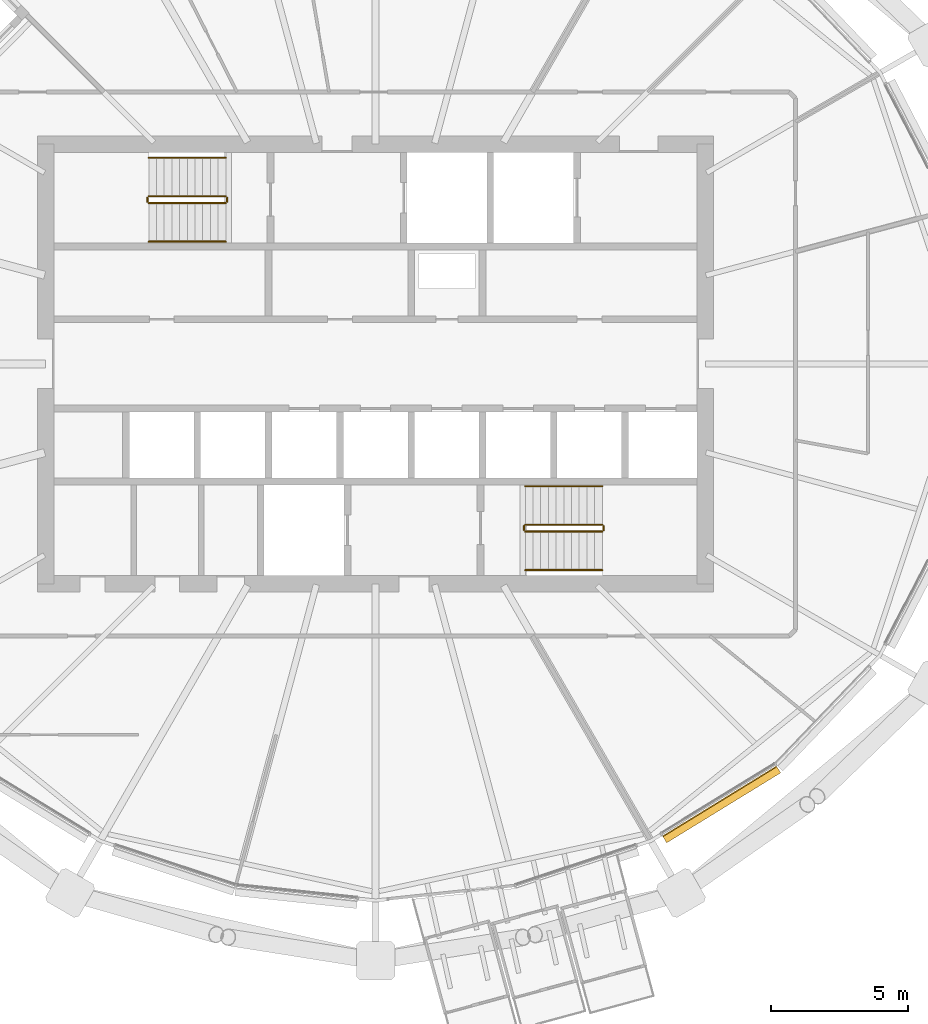
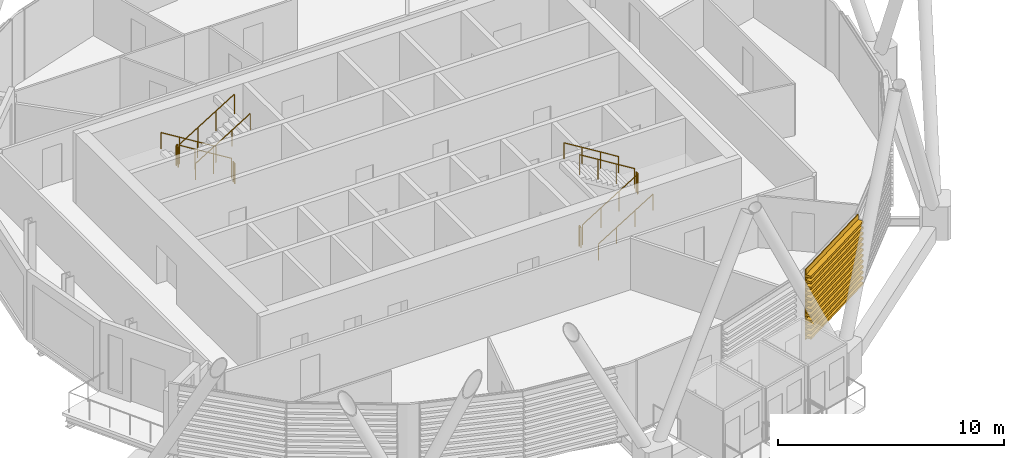
# One storey, part 31 of 35: 12 railings, 1 covering.
"""IFC4 building model written with IfcOpenShell, lengths in metres."""

import ifcopenshell
import ifcopenshell.guid

model = None  # the IFC model being written
_history = None  # IfcOwnerHistory: only IFC2X3 demands one
_inside = {}  # id of a spatial element -> (the spatial element, [elements in it])
_under = {}  # id of a project, library or spatial element -> (it, [spatial elements below it])
_declared = {}  # id of a project -> (the project, [libraries it declares])
_typed = {}  # id of a type object -> (the type object, [elements of that type])
_made_of = {}  # id of a material, layer set ... -> (it, [elements and type objects made of it])


def new_model(schema):
    """Start an empty IFC model of exactly this schema.

    Asked for "IFC4X3", IfcOpenShell would pick the latest addendum, in which some entities
    have other attributes; the version numbers below select the first issue.
    IFC2X3 requires an IfcOwnerHistory on every rooted entity: one is made here for all.
    """
    global model, _history
    if schema == "IFC4X3":
        model = ifcopenshell.file(schema_version=(4, 3, 0, 0))
    else:
        model = ifcopenshell.file(schema=schema)
    _inside.clear()
    _under.clear()
    _declared.clear()
    _typed.clear()
    _made_of.clear()
    _history = None
    if model.schema == "IFC2X3":
        org = make("IfcOrganization", Name="unknown")
        user = make(
            "IfcPersonAndOrganization",
            ThePerson=make("IfcPerson", FamilyName="unknown"),
            TheOrganization=org,
        )
        app = make(
            "IfcApplication",
            ApplicationDeveloper=org,
            Version="unknown",
            ApplicationFullName="unknown",
            ApplicationIdentifier="unknown",
        )
        _history = make(
            "IfcOwnerHistory",
            OwningUser=user,
            OwningApplication=app,
            ChangeAction="ADDED",
            CreationDate=0,
        )
    return model


def make(cls, **values):
    """One entity of the class cls with the attributes given. An attribute that is None is left unset."""
    return model.create_entity(
        cls, **{name: value for name, value in values.items() if value is not None}
    )


def rooted(cls, **values):
    """An entity with a GlobalId (a new one), such as an element, a storey or a relation."""
    return make(cls, GlobalId=ifcopenshell.guid.new(), OwnerHistory=_history, **values)


def si_unit(unit_type, name, prefix=None):
    """IfcSIUnit, for example si_unit("LENGTHUNIT", "METRE", prefix="MILLI")."""
    return make("IfcSIUnit", UnitType=unit_type, Prefix=prefix, Name=name)


def assignment(units):
    """IfcUnitAssignment: the units of a project."""
    return None if units is None else make("IfcUnitAssignment", Units=units)


def point(xyz):
    """IfcCartesianPoint."""
    return None if xyz is None else make("IfcCartesianPoint", Coordinates=xyz)


def direction(xyz):
    """IfcDirection."""
    return None if xyz is None else make("IfcDirection", DirectionRatios=xyz)


def frame(location, z_axis=None, x_axis=None):
    """IfcAxis2Placement3D, a coordinate frame: its origin and axes. An axis left out is left unset."""
    return make(
        "IfcAxis2Placement3D",
        Location=point(location),
        Axis=direction(z_axis),
        RefDirection=direction(x_axis),
    )


def frame_2d(location, x_axis=None):
    """IfcAxis2Placement2D, a coordinate frame in the plane: its origin and x axis."""
    return make(
        "IfcAxis2Placement2D", Location=point(location), RefDirection=direction(x_axis)
    )


def origin():
    """The frame at (0, 0, 0) with its axes left unset."""
    return frame((0.0, 0.0, 0.0))


def origin_2d():
    """The frame at (0, 0) in the plane with its x axis left unset."""
    return frame_2d((0.0, 0.0))


def place(relative_to, where):
    """IfcLocalPlacement: puts the frame where relative to a parent placement (None: the world)."""
    return make(
        "IfcLocalPlacement", PlacementRelTo=relative_to, RelativePlacement=where
    )


def context(
    kind, dimensions, precision=None, world=None, true_north=None, identifier=None
):
    """IfcGeometricRepresentationContext, for example the 3D "Model" context."""
    return make(
        "IfcGeometricRepresentationContext",
        ContextIdentifier=identifier,
        ContextType=kind,
        CoordinateSpaceDimension=dimensions,
        Precision=precision,
        WorldCoordinateSystem=world,
        TrueNorth=true_north,
    )


def subcontext(parent, identifier, kind, view, scale=None):
    """IfcGeometricRepresentationSubContext, for example "Body" below "Model"."""
    return make(
        "IfcGeometricRepresentationSubContext",
        ContextIdentifier=identifier,
        ContextType=kind,
        ParentContext=parent,
        TargetScale=scale,
        TargetView=view,
    )


def project(units=None, contexts=None):
    """IfcProject with its units and contexts."""
    return rooted(
        "IfcProject",
        Name="project",
        RepresentationContexts=contexts,
        UnitsInContext=assignment(units),
    )


def spatial(cls, under=None, at=None, **own):
    """A site, building, storey or space (cls), placed at a placement, below another one or the project."""
    s = rooted(cls, ObjectPlacement=at, **own)
    if under is not None:
        _under.setdefault(under.id(), (under, []))[1].append(s)
    return s


def polyline(points):
    """IfcPolyline through the points."""
    return make("IfcPolyline", Points=[point(p) for p in points])


def profile(cls, at=None, kind="AREA", **sizes):
    """A parametric profile (cls). Its sizes go by their IFC names, for example OverallWidth=200.0."""
    return make(cls, ProfileType=kind, Position=at, **sizes)


def circle(**sizes):
    """IfcCircleProfileDef."""
    return profile("IfcCircleProfileDef", **sizes)


def outline(outer, holes=None, kind="AREA"):
    """IfcArbitraryClosedProfileDef: a profile drawn as a closed curve; with holes, ...WithVoids."""
    if holes is None:
        return make("IfcArbitraryClosedProfileDef", ProfileType=kind, OuterCurve=outer)
    return make(
        "IfcArbitraryProfileDefWithVoids",
        ProfileType=kind,
        OuterCurve=outer,
        InnerCurves=holes,
    )


def extrude(swept, where, along, depth):
    """IfcExtrudedAreaSolid: the profile swept, set in the frame where, extruded along a direction by depth."""
    return make(
        "IfcExtrudedAreaSolid",
        SweptArea=swept,
        Position=where,
        ExtrudedDirection=direction(along),
        Depth=depth,
    )


def shape(context_of_items, identifier, shape_type, items):
    """IfcShapeRepresentation: the items that make up one representation, for example the "Body"."""
    return make(
        "IfcShapeRepresentation",
        ContextOfItems=context_of_items,
        RepresentationIdentifier=identifier,
        RepresentationType=shape_type,
        Items=items,
    )


def material(Name=None, Category=None):
    """IfcMaterial."""
    return make("IfcMaterial", Name=Name, Category=Category)


def material_profile(
    of_material, cross_section, Name=None, Category=None, Priority=None
):
    """IfcMaterialProfile: a cross section and its material."""
    return make(
        "IfcMaterialProfile",
        Name=Name,
        Material=of_material,
        Profile=cross_section,
        Priority=Priority,
        Category=Category,
    )


def profile_set(profiles, Name=None, composite=None):
    """IfcMaterialProfileSet."""
    return make(
        "IfcMaterialProfileSet",
        Name=Name,
        MaterialProfiles=profiles,
        CompositeProfile=composite,
    )


def made_of(thing, what):
    """Note that an element or type object is made of a material, layer set ...; save() writes the relation."""
    if what is not None:
        _made_of.setdefault(what.id(), (what, []))[1].append(thing)
    return thing


def type_object(cls, material=None, **own):
    """A type object (cls), such as IfcWallType, which elements share."""
    return made_of(rooted(cls, **own), material)


def element(
    cls,
    number,
    at=None,
    inside=None,
    cuts=None,
    type_object=None,
    material=None,
    context=None,
    identifier="Body",
    shape_type=None,
    held_by="IfcProductDefinitionShape",
    body=None,
    shapes=None,
    **own,
):
    """One element of the class cls, such as IfcWall. Its Tag is "e" and its number.

    at: its placement. inside: the storey or other place that contains it. cuts: it is an
    opening in that element (IfcRelVoidsElement). A single representation is given by context,
    identifier, shape_type and body (its items); several are given by shapes. held_by: the class
    of the entity that holds the representations. save() writes the other relations.
    """
    e = rooted(cls, Tag="e%d" % number, ObjectPlacement=at, **own)
    if body is not None:
        shapes = [shape(context, identifier, shape_type, body)]
    if shapes is not None:
        e.Representation = make(held_by, Representations=shapes)
    if inside is not None:
        _inside.setdefault(inside.id(), (inside, []))[1].append(e)
    if cuts is not None:
        rooted(
            "IfcRelVoidsElement", RelatingBuildingElement=cuts, RelatedOpeningElement=e
        )
    if type_object is not None:
        _typed.setdefault(type_object.id(), (type_object, []))[1].append(e)
    return made_of(e, material)


def aggregate(whole, parts):
    """IfcRelAggregates: a whole, such as a stair, and the parts it consists of."""
    return rooted("IfcRelAggregates", RelatingObject=whole, RelatedObjects=parts)


def save(model, path):
    """Write the relations noted so far, then the file.

    IfcRelAggregates (storeys below a building ...), IfcRelContainedInSpatialStructure (elements
    in a storey), IfcRelDefinesByType, IfcRelAssociatesMaterial and IfcRelDeclares: one each for
    every whole, place, type object, material and project.
    """
    for whole, parts in _under.values():
        aggregate(whole, parts)
    for where, things in _inside.values():
        rooted(
            "IfcRelContainedInSpatialStructure",
            RelatedElements=things,
            RelatingStructure=where,
        )
    for kind, things in _typed.values():
        rooted("IfcRelDefinesByType", RelatedObjects=things, RelatingType=kind)
    for what, things in _made_of.values():
        rooted("IfcRelAssociatesMaterial", RelatedObjects=things, RelatingMaterial=what)
    for by, libraries in _declared.values():
        rooted("IfcRelDeclares", RelatingContext=by, RelatedDefinitions=libraries)
    model.write(path)


model = new_model("IFC4")

# Units and contexts
model_context = context("Model", 3, precision=1e-05, world=origin(), true_north=direction((0.0, 1.0)))
body_context = subcontext(model_context, "Body", "Model", "MODEL_VIEW")
ifc_project = project(units=[si_unit("LENGTHUNIT", "METRE"), si_unit("AREAUNIT", "SQUARE_METRE"), si_unit("VOLUMEUNIT", "CUBIC_METRE"), si_unit("PLANEANGLEUNIT", "RADIAN"), si_unit("MASSUNIT", "GRAM", prefix="KILO")], contexts=[model_context])

# Site, building, storey
site_placement = place(None, origin())
site = spatial("IfcSite", under=ifc_project, at=site_placement, CompositionType="ELEMENT")
building_placement = place(site_placement, origin())
building = spatial("IfcBuilding", under=site, at=building_placement, Name="Rimbun Link Towers", CompositionType="ELEMENT")
storey_placement = place(building_placement, frame((0.0, 0.0, 181.699951171875)))
storey = spatial("IfcBuildingStorey", under=building, at=storey_placement, Name="L44", CompositionType="ELEMENT", Elevation=181.699951171875)

# Railings
ifc_material_1 = material(Name="Stainless steel grade 316", Category="steel")
railing_type_1 = type_object("IfcRailingType", Name="Stair guard", PredefinedType="GUARDRAIL", material=ifc_material_1)
railing_1_placement = place(storey_placement, frame((-37.199951171875, 6.10009765625, 0.1728515625)))
element("IfcRailing", 1, at=railing_1_placement, inside=storey, type_object=railing_type_1, Name="L44 ST1 stair guard 1", PredefinedType="GUARDRAIL", context=body_context, shape_type="SweptSolid", body=[
    extrude(circle(Radius=0.02392578125, at=origin_2d()), frame((0.0, 0.0, 1.076171875), z_axis=(-0.851089632645, 0.0, 0.525020415988), x_axis=(0.0, -1.0, 0.0)), (0.0, 0.0, 1.0), 3.2900390625),
    extrude(circle(Radius=0.02099609375, at=origin_2d()), origin(), (0.0, 0.0, 1.0), 1.052001953125),
    extrude(circle(Radius=0.02099609375, at=origin_2d()), frame((-0.933349609375, 0.0, 0.57568359375)), (0.0, 0.0, 1.0), 1.052001953125),
    extrude(circle(Radius=0.02099609375, at=origin_2d()), frame((-1.86669921875, 0.0, 1.151611328125)), (0.0, 0.0, 1.0), 1.052001953125),
    extrude(circle(Radius=0.02099609375, at=origin_2d()), frame((-2.800048828125, 0.0, 1.727294921875)), (0.0, 0.0, 1.0), 1.052001953125),
])
railing_2_placement = place(storey_placement, frame((-40.050048828125, 6.050048828125, 1.900146484375)))
element("IfcRailing", 2, at=railing_2_placement, inside=storey, type_object=railing_type_1, Name="L44 ST1 stair guard 2", PredefinedType="GUARDRAIL", context=body_context, shape_type="SweptSolid", body=[
    extrude(circle(Radius=0.02392578125, at=origin_2d()), frame((0.0, 0.0, 1.076171875), z_axis=(0.0, -1.0, 0.0), x_axis=(1.0, 0.0, 0.0)), (0.0, 0.0, 1.0), 0.150146484375),
    extrude(circle(Radius=0.02099609375, at=origin_2d()), origin(), (0.0, 0.0, 1.0), 1.052001953125),
    extrude(circle(Radius=0.02099609375, at=origin_2d()), frame((0.0, -0.150146484375, 0.0)), (0.0, 0.0, 1.0), 1.052001953125),
])
railing_3_placement = place(storey_placement, frame((-40.0, 5.85009765625, 2.07275390625)))
element("IfcRailing", 3, at=railing_3_placement, inside=storey, type_object=railing_type_1, Name="L44 ST1 stair guard 3", PredefinedType="GUARDRAIL", context=body_context, shape_type="SweptSolid", body=[
    extrude(circle(Radius=0.02392578125, at=origin_2d()), frame((0.0, 0.0, 1.076171875), z_axis=(0.851089632645, 0.0, 0.525020415988), x_axis=(0.0, 1.0, 0.0)), (0.0, 0.0, 1.0), 3.2900390625),
    extrude(circle(Radius=0.02099609375, at=origin_2d()), origin(), (0.0, 0.0, 1.0), 1.052001953125),
    extrude(circle(Radius=0.02099609375, at=origin_2d()), frame((0.933349609375, 0.0, 0.57568359375)), (0.0, 0.0, 1.0), 1.052001953125),
    extrude(circle(Radius=0.02099609375, at=origin_2d()), frame((1.86669921875, 0.0, 1.151611328125)), (0.0, 0.0, 1.0), 1.052001953125),
    extrude(circle(Radius=0.02099609375, at=origin_2d()), frame((2.800048828125, 0.0, 1.727294921875)), (0.0, 0.0, 1.0), 1.052001953125),
])
railing_4_placement = place(storey_placement, frame((-37.14990234375, 6.050048828125, 0.0)))
element("IfcRailing", 4, at=railing_4_placement, inside=storey, type_object=railing_type_1, Name="L44 ST1 stair guard 4", PredefinedType="GUARDRAIL", context=body_context, shape_type="SweptSolid", body=[
    extrude(circle(Radius=0.02392578125, at=origin_2d()), frame((0.0, 0.0, 1.076171875), z_axis=(0.0, -1.0, 0.0), x_axis=(1.0, 0.0, 0.0)), (0.0, 0.0, 1.0), 0.150146484375),
    extrude(circle(Radius=0.02099609375, at=origin_2d()), origin(), (0.0, 0.0, 1.0), 1.052001953125),
    extrude(circle(Radius=0.02099609375, at=origin_2d()), frame((0.0, -0.150146484375, 0.0)), (0.0, 0.0, 1.0), 1.052001953125),
])
railing_5_placement = place(storey_placement, frame((-26.300048828125, -6.10009765625, 0.1728515625)))
element("IfcRailing", 5, at=railing_5_placement, inside=storey, type_object=railing_type_1, Name="L44 ST2 stair guard 1", PredefinedType="GUARDRAIL", context=body_context, shape_type="SweptSolid", body=[
    extrude(circle(Radius=0.02392578125, at=origin_2d()), frame((0.0, 0.0, 1.076171875), z_axis=(0.851089632645, 0.0, 0.525020415988), x_axis=(0.0, 1.0, 0.0)), (0.0, 0.0, 1.0), 3.2900390625),
    extrude(circle(Radius=0.02099609375, at=origin_2d()), origin(), (0.0, 0.0, 1.0), 1.052001953125),
    extrude(circle(Radius=0.02099609375, at=origin_2d()), frame((0.933349609375, 0.0, 0.57568359375)), (0.0, 0.0, 1.0), 1.052001953125),
    extrude(circle(Radius=0.02099609375, at=origin_2d()), frame((1.86669921875, 0.0, 1.151611328125)), (0.0, 0.0, 1.0), 1.052001953125),
    extrude(circle(Radius=0.02099609375, at=origin_2d()), frame((2.800048828125, 0.0, 1.727294921875)), (0.0, 0.0, 1.0), 1.052001953125),
])
railing_6_placement = place(storey_placement, frame((-23.449951171875, -6.050048828125, 1.900146484375)))
element("IfcRailing", 6, at=railing_6_placement, inside=storey, type_object=railing_type_1, Name="L44 ST2 stair guard 2", PredefinedType="GUARDRAIL", context=body_context, shape_type="SweptSolid", body=[
    extrude(circle(Radius=0.02392578125, at=origin_2d()), frame((0.0, 0.0, 1.076171875), z_axis=(0.0, 1.0, 0.0), x_axis=(-1.0, 0.0, 0.0)), (0.0, 0.0, 1.0), 0.150146484375),
    extrude(circle(Radius=0.02099609375, at=origin_2d()), origin(), (0.0, 0.0, 1.0), 1.052001953125),
    extrude(circle(Radius=0.02099609375, at=origin_2d()), frame((0.0, 0.150146484375, 0.0)), (0.0, 0.0, 1.0), 1.052001953125),
])
railing_7_placement = place(storey_placement, frame((-23.5, -5.85009765625, 2.07275390625)))
element("IfcRailing", 7, at=railing_7_placement, inside=storey, type_object=railing_type_1, Name="L44 ST2 stair guard 3", PredefinedType="GUARDRAIL", context=body_context, shape_type="SweptSolid", body=[
    extrude(circle(Radius=0.02392578125, at=origin_2d()), frame((0.0, 0.0, 1.076171875), z_axis=(-0.851089632645, 0.0, 0.525020415988), x_axis=(0.0, -1.0, 0.0)), (0.0, 0.0, 1.0), 3.2900390625),
    extrude(circle(Radius=0.02099609375, at=origin_2d()), origin(), (0.0, 0.0, 1.0), 1.052001953125),
    extrude(circle(Radius=0.02099609375, at=origin_2d()), frame((-0.933349609375, 0.0, 0.57568359375)), (0.0, 0.0, 1.0), 1.052001953125),
    extrude(circle(Radius=0.02099609375, at=origin_2d()), frame((-1.86669921875, 0.0, 1.151611328125)), (0.0, 0.0, 1.0), 1.052001953125),
    extrude(circle(Radius=0.02099609375, at=origin_2d()), frame((-2.800048828125, 0.0, 1.727294921875)), (0.0, 0.0, 1.0), 1.052001953125),
])
railing_8_placement = place(storey_placement, frame((-26.35009765625, -6.050048828125, 0.0)))
element("IfcRailing", 8, at=railing_8_placement, inside=storey, type_object=railing_type_1, Name="L44 ST2 stair guard 4", PredefinedType="GUARDRAIL", context=body_context, shape_type="SweptSolid", body=[
    extrude(circle(Radius=0.02392578125, at=origin_2d()), frame((0.0, 0.0, 1.076171875), z_axis=(0.0, 1.0, 0.0), x_axis=(-1.0, 0.0, 0.0)), (0.0, 0.0, 1.0), 0.150146484375),
    extrude(circle(Radius=0.02099609375, at=origin_2d()), origin(), (0.0, 0.0, 1.0), 1.052001953125),
    extrude(circle(Radius=0.02099609375, at=origin_2d()), frame((0.0, 0.150146484375, 0.0)), (0.0, 0.0, 1.0), 1.052001953125),
])
ifc_material_2 = material(Name="Stainless steel grade 316", Category="steel")
railing_type_2 = type_object("IfcRailingType", Name="Stair handrail", PredefinedType="HANDRAIL", material=ifc_material_2)
railing_9_placement = place(storey_placement, frame((-37.199951171875, 7.5, 0.1728515625)))
element("IfcRailing", 9, at=railing_9_placement, inside=storey, type_object=railing_type_2, Name="L44 ST1 stair handrail 1", PredefinedType="HANDRAIL", context=body_context, shape_type="SweptSolid", body=[
    extrude(circle(Radius=0.02392578125, at=origin_2d()), frame((0.0, 0.0, 0.8759765625), z_axis=(-0.851089632645, 0.0, 0.525020415988), x_axis=(0.0, -1.0, 0.0)), (0.0, 0.0, 1.0), 3.2900390625),
    extrude(circle(Radius=0.02099609375, at=origin_2d()), origin(), (0.0, 0.0, 1.0), 0.851806640625),
    extrude(circle(Radius=0.02099609375, at=origin_2d()), frame((-0.933349609375, 0.0, 0.57568359375)), (0.0, 0.0, 1.0), 0.851806640625),
    extrude(circle(Radius=0.02099609375, at=origin_2d()), frame((-1.86669921875, 0.0, 1.151611328125)), (0.0, 0.0, 1.0), 0.851806640625),
    extrude(circle(Radius=0.02099609375, at=origin_2d()), frame((-2.800048828125, 0.0, 1.727294921875)), (0.0, 0.0, 1.0), 0.851806640625),
])
for number, where, name in (
    (10, (-40.0, 4.449951171875, 2.07275390625), "L44 ST1 stair handrail 2"),
    (11, (-26.300048828125, -7.5, 0.1728515625), "L44 ST2 stair handrail 1"),
):
    element("IfcRailing", number, at=place(storey_placement, frame(where)), inside=storey, type_object=railing_type_2, Name=name, PredefinedType="HANDRAIL", context=body_context, shape_type="SweptSolid", body=[
        extrude(circle(Radius=0.02392578125, at=origin_2d()), frame((0.0, 0.0, 0.8759765625), z_axis=(0.851089632645, 0.0, 0.525020415988), x_axis=(0.0, 1.0, 0.0)), (0.0, 0.0, 1.0), 3.2900390625),
        extrude(circle(Radius=0.02099609375, at=origin_2d()), origin(), (0.0, 0.0, 1.0), 0.851806640625),
        extrude(circle(Radius=0.02099609375, at=origin_2d()), frame((0.933349609375, 0.0, 0.57568359375)), (0.0, 0.0, 1.0), 0.851806640625),
        extrude(circle(Radius=0.02099609375, at=origin_2d()), frame((1.86669921875, 0.0, 1.151611328125)), (0.0, 0.0, 1.0), 0.851806640625),
        extrude(circle(Radius=0.02099609375, at=origin_2d()), frame((2.800048828125, 0.0, 1.727294921875)), (0.0, 0.0, 1.0), 0.851806640625),
    ])
railing_10_placement = place(storey_placement, frame((-23.5, -4.449951171875, 2.07275390625)))
element("IfcRailing", 12, at=railing_10_placement, inside=storey, type_object=railing_type_2, Name="L44 ST2 stair handrail 2", PredefinedType="HANDRAIL", context=body_context, shape_type="SweptSolid", body=[
    extrude(circle(Radius=0.02392578125, at=origin_2d()), frame((0.0, 0.0, 0.8759765625), z_axis=(-0.851089632645, 0.0, 0.525020415988), x_axis=(0.0, -1.0, 0.0)), (0.0, 0.0, 1.0), 3.2900390625),
    extrude(circle(Radius=0.02099609375, at=origin_2d()), origin(), (0.0, 0.0, 1.0), 0.851806640625),
    extrude(circle(Radius=0.02099609375, at=origin_2d()), frame((-0.933349609375, 0.0, 0.57568359375)), (0.0, 0.0, 1.0), 0.851806640625),
    extrude(circle(Radius=0.02099609375, at=origin_2d()), frame((-1.86669921875, 0.0, 1.151611328125)), (0.0, 0.0, 1.0), 0.851806640625),
    extrude(circle(Radius=0.02099609375, at=origin_2d()), frame((-2.800048828125, 0.0, 1.727294921875)), (0.0, 0.0, 1.0), 0.851806640625),
])

# Covering
ifc_material_3 = material(Name="Terracotta", Category="masonry")
ifc_material_profile = material_profile(ifc_material_3, outline(polyline([(0.123046875, 0.0), (0.1630859375, 0.0), (0.1630859375, 0.10009765625), (0.423095703125, 0.10009765625), (0.423095703125, 0.219970703125), (0.1630859375, 0.219970703125), (0.1630859375, 0.39990234375), (0.423095703125, 0.39990234375), (0.423095703125, 0.52001953125), (0.1630859375, 0.52001953125), (0.1630859375, 0.699951171875), (0.423095703125, 0.699951171875), (0.423095703125, 0.820068359375), (0.1630859375, 0.820068359375), (0.1630859375, 1.0), (0.423095703125, 1.0), (0.423095703125, 1.1201171875), (0.1630859375, 1.1201171875), (0.1630859375, 1.300048828125), (0.423095703125, 1.300048828125), (0.423095703125, 1.419921875), (0.1630859375, 1.419921875), (0.1630859375, 1.60009765625), (0.423095703125, 1.60009765625), (0.423095703125, 1.719970703125), (0.1630859375, 1.719970703125), (0.1630859375, 1.89990234375), (0.423095703125, 1.89990234375), (0.423095703125, 2.02001953125), (0.1630859375, 2.02001953125), (0.1630859375, 2.199951171875), (0.423095703125, 2.199951171875), (0.423095703125, 2.320068359375), (0.1630859375, 2.320068359375), (0.1630859375, 2.5), (0.423095703125, 2.5), (0.423095703125, 2.6201171875), (0.1630859375, 2.6201171875), (0.1630859375, 2.800048828125), (0.423095703125, 2.800048828125), (0.423095703125, 2.919921875), (0.1630859375, 2.919921875), (0.1630859375, 3.10009765625), (0.423095703125, 3.10009765625), (0.423095703125, 3.219970703125), (0.1630859375, 3.219970703125), (0.1630859375, 3.39990234375), (0.423095703125, 3.39990234375), (0.423095703125, 3.52001953125), (0.1630859375, 3.52001953125), (0.1630859375, 3.800048828125), (0.123046875, 3.800048828125), (0.123046875, 0.0)])), Name="BAGUETTE 120X300")
ifc_profile_set = profile_set([ifc_material_profile], Name="Terracotta")
covering_type = type_object("IfcCoveringType", Name="TERRACOTTA BAGUETTE 120X300 H3800", PredefinedType="CLADDING", material=ifc_profile_set)
covering_placement = place(storey_placement, frame((-17.230224609375, -14.519775390625, 0.0), z_axis=(-0.852184961331, -0.523240663253, 0.0), x_axis=(0.523240663253, -0.852184961331, 0.0)))
element("IfcCovering", 13, at=covering_placement, inside=storey, type_object=covering_type, Name="TERRACOTTA BAGUETTE", PredefinedType="CLADDING", context=body_context, shape_type="SweptSolid", body=[
    extrude(outline(polyline([(0.123046875, 0.0), (0.1630859375, 0.0), (0.1630859375, 0.10009765625), (0.423095703125, 0.10009765625), (0.423095703125, 0.219970703125), (0.1630859375, 0.219970703125), (0.1630859375, 0.39990234375), (0.423095703125, 0.39990234375), (0.423095703125, 0.52001953125), (0.1630859375, 0.52001953125), (0.1630859375, 0.699951171875), (0.423095703125, 0.699951171875), (0.423095703125, 0.820068359375), (0.1630859375, 0.820068359375), (0.1630859375, 1.0), (0.423095703125, 1.0), (0.423095703125, 1.1201171875), (0.1630859375, 1.1201171875), (0.1630859375, 1.300048828125), (0.423095703125, 1.300048828125), (0.423095703125, 1.419921875), (0.1630859375, 1.419921875), (0.1630859375, 1.60009765625), (0.423095703125, 1.60009765625), (0.423095703125, 1.719970703125), (0.1630859375, 1.719970703125), (0.1630859375, 1.89990234375), (0.423095703125, 1.89990234375), (0.423095703125, 2.02001953125), (0.1630859375, 2.02001953125), (0.1630859375, 2.199951171875), (0.423095703125, 2.199951171875), (0.423095703125, 2.320068359375), (0.1630859375, 2.320068359375), (0.1630859375, 2.5), (0.423095703125, 2.5), (0.423095703125, 2.6201171875), (0.1630859375, 2.6201171875), (0.1630859375, 2.800048828125), (0.423095703125, 2.800048828125), (0.423095703125, 2.919921875), (0.1630859375, 2.919921875), (0.1630859375, 3.10009765625), (0.423095703125, 3.10009765625), (0.423095703125, 3.219970703125), (0.1630859375, 3.219970703125), (0.1630859375, 3.39990234375), (0.423095703125, 3.39990234375), (0.423095703125, 3.52001953125), (0.1630859375, 3.52001953125), (0.1630859375, 3.800048828125), (0.123046875, 3.800048828125), (0.123046875, 0.0)])), origin(), (0.0, 0.0, 1.0), 4.866455078125),
])

save(model, "model.ifc")
